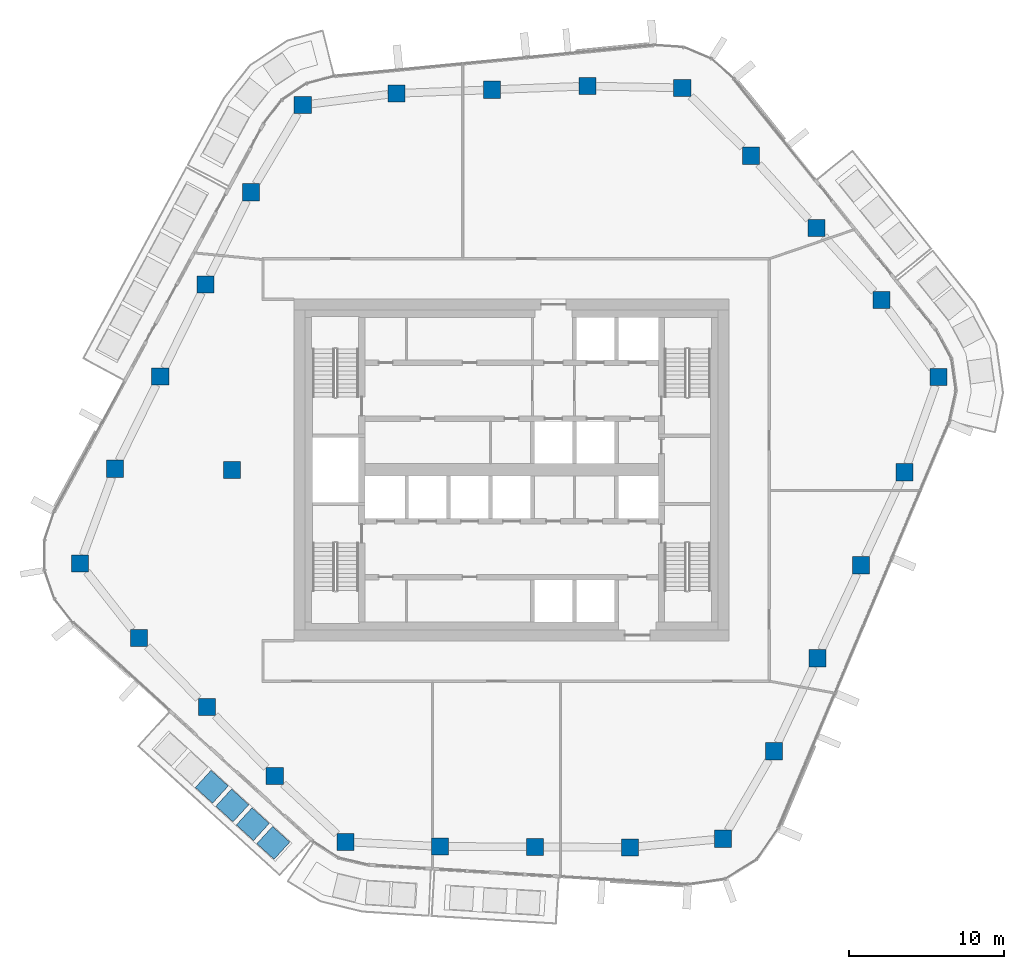
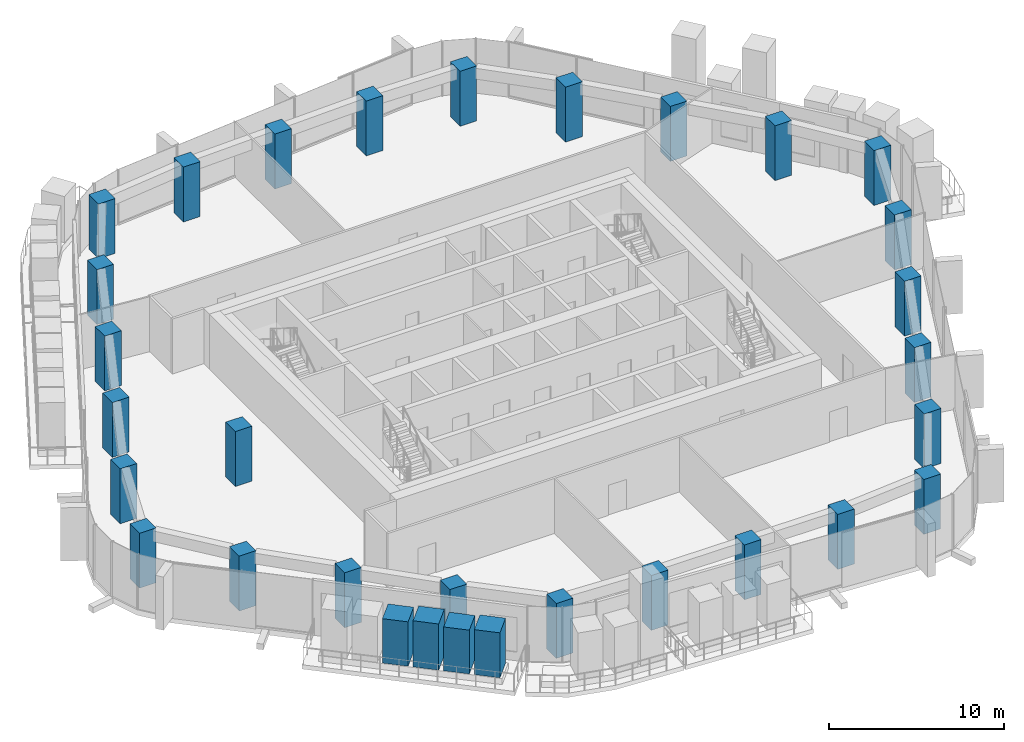
# One storey, part 1 of 20: 27 columns, 4 members.
"""IFC4 building model written with IfcOpenShell, lengths in metres."""

from ifc_helpers import new_model, si_unit, direction, frame, origin, origin_2d, place, context, subcontext, project, spatial, rectangle, extrude, material, material_profile, profile_set, type_object, element, save


model = new_model("IFC4")

# Units and contexts
model_context = context("Model", 3, precision=1e-05, world=origin(), true_north=direction((0.0, 1.0)))
body_context = subcontext(model_context, "Body", "Model", "MODEL_VIEW")
ifc_project = project(units=[si_unit("LENGTHUNIT", "METRE"), si_unit("AREAUNIT", "SQUARE_METRE"), si_unit("VOLUMEUNIT", "CUBIC_METRE"), si_unit("PLANEANGLEUNIT", "RADIAN"), si_unit("MASSUNIT", "GRAM", prefix="KILO")], contexts=[model_context])

# Site, building, storey
site_placement = place(None, origin())
site = spatial("IfcSite", under=ifc_project, at=site_placement, CompositionType="ELEMENT")
building_placement = place(site_placement, origin())
building = spatial("IfcBuilding", under=site, at=building_placement, Name="Dongbaek Canopy Tower", CompositionType="ELEMENT")
storey_placement = place(building_placement, frame((0.0, 0.0, 262.199951171875)))
storey = spatial("IfcBuildingStorey", under=building, at=storey_placement, Name="L55", CompositionType="ELEMENT", Elevation=262.199951171875)

# Columns
ifc_material_1 = material(Name="Concrete C70", Category="concrete")
ifc_material_profile_1 = material_profile(ifc_material_1, rectangle(XDim=1.10009765625, YDim=1.10009765625, at=origin_2d()), Name="RC COLUMN 1100x1100 C70")
ifc_profile_set_1 = profile_set([ifc_material_profile_1], Name="Concrete C70")
column_type = type_object("IfcColumnType", Name="RC COLUMN 1100x1100 C70", PredefinedType="COLUMN", material=ifc_profile_set_1)
for number, where, z_axis, x_axis, name in (
    (1, (13.612060546875, -23.74609375, 0.0), (0.0, 0.0, 1.0), (1.0, 0.0, 0.0), "COL:CZ4-01:L55"),
    (2, (7.615966796875, -24.300048828125, 0.0), (0.0, 0.0, 1.0), (1.0, 0.0, 0.0), "COL:CZ4-02:L55"),
    (3, (1.501953125, -24.27197265625, 0.0), (0.0, 0.0, 1.0), (1.0, 0.0, 0.0), "COL:CZ4-03:L55"),
    (4, (-4.611083984375, -24.24609375, 0.0), (0.0, 0.0, 1.0), (1.0, 0.0, 0.0), "COL:CZ4-04:L55"),
    (5, (-10.697021484375, -23.946044921875, 0.0), (0.0, 0.0, 1.0), (1.0, 0.0, 0.0), "COL:CZ4-05:L55"),
    (6, (-15.2470703125, -19.714111328125, 0.0), (0.0, 0.0, 1.0), (1.0, 0.0, 0.0), "COL:CZ4-06:L55"),
    (7, (-19.6220703125, -15.27197265625, 0.0), (0.0, 0.0, 1.0), (1.0, 0.0, 0.0), "COL:CZ4-07:L55"),
    (8, (-23.9970703125, -10.8291015625, 0.0), (0.0, 0.0, 1.0), (1.0, 0.0, 0.0), "COL:CZ4-08:L55"),
    (9, (-27.781982421875, -6.02001953125, 0.0), (0.0, 0.0, 1.0), (1.0, 0.0, 0.0), "COL:CZ4-09:L55"),
    (10, (-25.5400390625, 0.075927734375, 0.0), (0.0, 0.0, 1.0), (1.0, 0.0, 0.0), "COL:CZ4-10:L55"),
    (11, (-22.62109375, 6.010986328125, 0.0), (0.0, 0.0, 1.0), (1.0, 0.0, 0.0), "COL:CZ4-11:L55"),
    (12, (-19.701904296875, 11.945068359375, 0.0), (0.0, 0.0, 1.0), (1.0, 0.0, 0.0), "COL:CZ4-12:L55"),
    (13, (-16.783935546875, 17.8779296875, 0.0), (0.0, 0.0, 1.0), (1.0, 0.0, 0.0), "COL:CZ4-13:L55"),
    (14, (-13.44189453125, 23.490966796875, 0.0), (0.0, 0.0, 1.0), (1.0, 0.0, 0.0), "COL:CZ4-14:L55"),
    (15, (-7.4150390625, 24.242919921875, 0.0), (0.0, 0.0, 1.0), (1.0, 0.0, 0.0), "COL:CZ4-15:L55"),
    (16, (-1.26611328125, 24.47900390625, 0.0), (0.0, 0.0, 1.0), (1.0, 0.0, 0.0), "COL:CZ4-16:L55"),
    (17, (4.883056640625, 24.714111328125, 0.0), (0.0, 0.0, 1.0), (1.0, 0.0, 0.0), "COL:CZ4-17:L55"),
    (18, (10.989990234375, 24.59912109375, 0.0), (0.0, 0.0, 1.0), (1.0, 0.0, 0.0), "COL:CZ4-18:L55"),
    (19, (15.41796875, 20.22900390625, 0.0), (0.0, 0.0, 1.0), (1.0, 0.0, 0.0), "COL:CZ4-19:L55"),
    (20, (19.625, 15.583984375, 0.0), (0.0, 0.0, 1.0), (1.0, 0.0, 0.0), "COL:CZ4-20:L55"),
    (21, (23.8310546875, 10.93896484375, 0.0), (0.0, 0.0, 1.0), (1.0, 0.0, 0.0), "COL:CZ4-21:L55"),
    (22, (27.491943359375, 5.97705078125, 0.0), (0.0, 0.0, 1.0), (1.0, 0.0, 0.0), "COL:CZ4-22:L55"),
    (23, (25.302001953125, -0.152099609375, 0.0), (0.0, 0.0, 1.0), (1.0, 0.0, 0.0), "COL:CZ4-23:L55"),
    (24, (22.4990234375, -6.138916015625, 0.0), (0.0, 0.0, 1.0), (1.0, 0.0, 0.0), "COL:CZ4-24:L55"),
    (25, (19.695068359375, -12.126953125, 0.0), (0.0, 0.0, 1.0), (1.0, 0.0, 0.0), "COL:CZ4-25:L55"),
    (26, (16.889892578125, -18.114013671875, 0.0), (0.0, 0.0, 1.0), (1.0, 0.0, 0.0), "COL:CZ4-26:L55"),
    (27, (-18.0, 0.0, 0.0), (0.0, 0.0, 1.0), (1.0, 0.0, 0.0), "COL:CIZ4-01:L55"),
):
    element("IfcColumn", number, at=place(storey_placement, frame(where, z_axis=z_axis, x_axis=x_axis)), inside=storey, type_object=column_type, Name=name, PredefinedType="COLUMN", context=body_context, shape_type="SweptSolid", body=[
        extrude(rectangle(XDim=1.10009765625, YDim=1.10009765625, at=origin_2d()), origin(), (0.0, 0.0, 1.0), 3.820068359375),
    ])

# Members
ifc_material_2 = material(Name="Concrete C40/50 planter mass with planting", Category="concrete")
ifc_material_profile_2 = material_profile(ifc_material_2, rectangle(XDim=1.5, YDim=1.5, at=origin_2d()), Name="Terrace PLANTER shrub mass 1500 x 1500")
ifc_profile_set_2 = profile_set([ifc_material_profile_2], Name="Concrete C40/50 planter mass with planting")
member_type = type_object("IfcMemberType", Name="Terrace PLANTER shrub mass 1500 x 1500", PredefinedType="USERDEFINED", material=ifc_profile_set_2)
member_1_placement = place(storey_placement, frame((-19.299072265625, -20.401123046875, 0.420166015625), z_axis=(0.0, 0.0, 1.0), x_axis=(-0.673879336739, -0.738841417028, 0.0)))
element("IfcMember", 28, at=member_1_placement, inside=storey, type_object=member_type, Name="Planter shrubs L55 3.3", ObjectType="PLANTER", PredefinedType="USERDEFINED", context=body_context, shape_type="SweptSolid", body=[
    extrude(rectangle(XDim=1.5, YDim=1.5, at=origin_2d()), origin(), (0.0, 0.0, 1.0), 3.08984375),
])
member_2_placement = place(storey_placement, frame((-17.978759765625, -21.60546875, 0.420166015625), z_axis=(0.0, 0.0, 1.0), x_axis=(-0.673879336739, -0.738841417028, 0.0)))
element("IfcMember", 29, at=member_2_placement, inside=storey, type_object=member_type, Name="Planter shrubs L55 3.4", ObjectType="PLANTER", PredefinedType="USERDEFINED", context=body_context, shape_type="SweptSolid", body=[
    extrude(rectangle(XDim=1.5, YDim=1.5, at=origin_2d()), origin(), (0.0, 0.0, 1.0), 3.2099609375),
])
member_3_placement = place(storey_placement, frame((-16.658447265625, -22.8095703125, 0.420166015625), z_axis=(0.0, 0.0, 1.0), x_axis=(-0.673879336739, -0.738841417028, 0.0)))
element("IfcMember", 30, at=member_3_placement, inside=storey, type_object=member_type, Name="Planter shrubs L55 3.5", ObjectType="PLANTER", PredefinedType="USERDEFINED", context=body_context, shape_type="SweptSolid", body=[
    extrude(rectangle(XDim=1.5, YDim=1.5, at=origin_2d()), origin(), (0.0, 0.0, 1.0), 3.0498046875),
])
member_4_placement = place(storey_placement, frame((-15.338134765625, -24.013916015625, 0.420166015625), z_axis=(0.0, 0.0, 1.0), x_axis=(-0.673879336739, -0.738841417028, 0.0)))
element("IfcMember", 31, at=member_4_placement, inside=storey, type_object=member_type, Name="Planter shrubs L55 3.6", ObjectType="PLANTER", PredefinedType="USERDEFINED", context=body_context, shape_type="SweptSolid", body=[
    extrude(rectangle(XDim=1.5, YDim=1.5, at=origin_2d()), origin(), (0.0, 0.0, 1.0), 3.1298828125),
])

save(model, "model.ifc")
